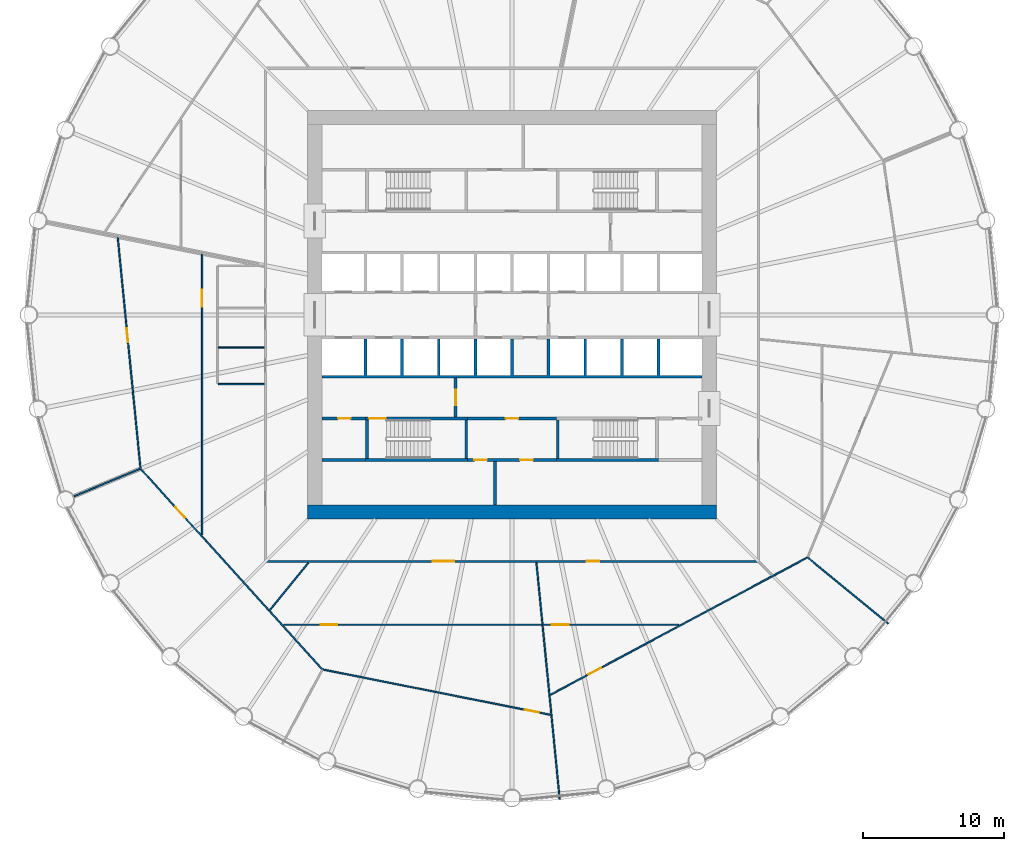
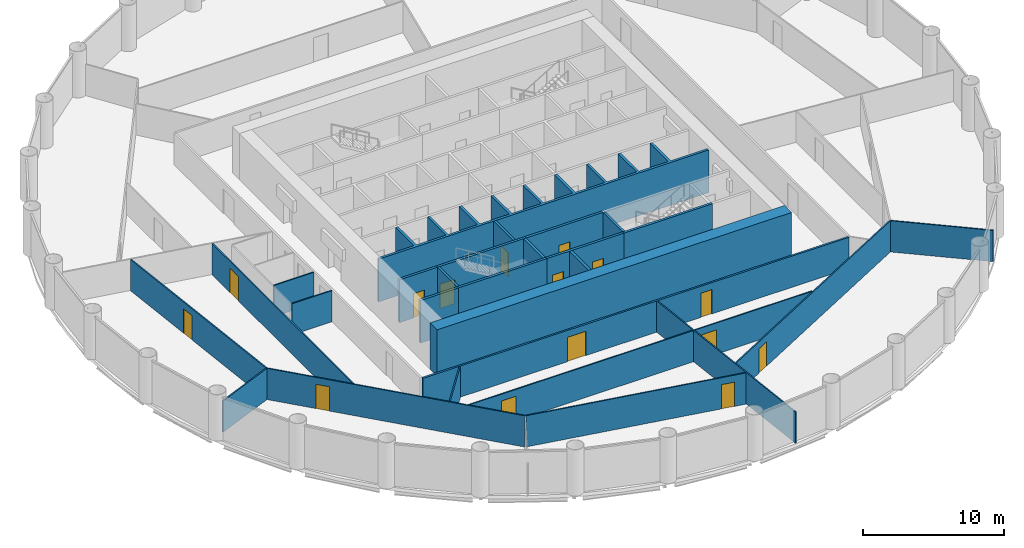
# One storey, part 4 of 9: 28 walls, 15 doors, 15 openings.
"""IFC4 building model written with IfcOpenShell, lengths in metres."""

from ifc_helpers import new_model, si_unit, direction, frame, frame_2d, origin, place, context, subcontext, project, spatial, polyline, rectangle, outline, extrude, material, layer, layer_set, type_object, element, fill, save


model = new_model("IFC4")

# Units and contexts
model_context = context("Model", 3, precision=1e-05, world=origin(), true_north=direction((0.0, 1.0)))
body_context = subcontext(model_context, "Body", "Model", "MODEL_VIEW")
ifc_project = project(units=[si_unit("LENGTHUNIT", "METRE"), si_unit("AREAUNIT", "SQUARE_METRE"), si_unit("VOLUMEUNIT", "CUBIC_METRE"), si_unit("PLANEANGLEUNIT", "RADIAN"), si_unit("MASSUNIT", "GRAM", prefix="KILO")], contexts=[model_context])

# Site, building, storey
site_placement = place(None, origin())
site = spatial("IfcSite", under=ifc_project, at=site_placement, CompositionType="ELEMENT")
building_placement = place(site_placement, origin())
building = spatial("IfcBuilding", under=site, at=building_placement, Name="Corvane Civic Tower", CompositionType="ELEMENT")
storey_placement = place(building_placement, frame((0.0, 0.0, 98.5)))
storey = spatial("IfcBuildingStorey", under=building, at=storey_placement, Name="L22", CompositionType="ELEMENT", Elevation=98.5)

# Wall
ifc_material_1 = material(Name="Concrete C70/85", Category="concrete")
ifc_layer_1 = layer(ifc_material_1, 1.0)
ifc_layer_set_1 = layer_set([ifc_layer_1], Name="Concrete C70/85")
wall_type_1 = type_object("IfcWallType", Name="CORE WALL 1000 C70/85", PredefinedType="SHEAR", material=ifc_layer_set_1)
wall_1_placement = place(storey_placement, frame((-14.5, -14.0, 0.0), z_axis=(0.0, 0.0, 1.0), x_axis=(1.0, 0.0, 0.0)))
element("IfcWall", 1, at=wall_1_placement, inside=storey, type_object=wall_type_1, Name="W-L22-core-S", PredefinedType="SHEAR", context=body_context, shape_type="SweptSolid", body=[
    extrude(rectangle(XDim=29.0, YDim=1.0, at=frame_2d((14.5, 0.0))), origin(), (0.0, 0.0, 1.0), 4.0),
])

# Wall, openings, doors
ifc_material_2 = material(Name="Concrete C30/37", Category="concrete")
ifc_layer_2 = layer(ifc_material_2, 0.199951171875)
ifc_layer_set_2 = layer_set([ifc_layer_2], Name="Concrete C30/37")
wall_type_2 = type_object("IfcWallType", Name="CR-WALL-200", PredefinedType="PARTITIONING", material=ifc_layer_set_2)
wall_2_placement = place(storey_placement, frame((-3.14990234375, -10.300048828125, 0.0), z_axis=(0.0, 0.0, 1.0), x_axis=(1.0, 0.0, 0.0)))
wall_2 = element("IfcWall", 2, at=wall_2_placement, inside=storey, type_object=wall_type_2, Name="L22 partition wall", PredefinedType="PARTITIONING", context=body_context, shape_type="SweptSolid", body=[
    extrude(rectangle(XDim=6.2998046875, YDim=0.199951171875, at=frame_2d((3.14990234375, 0.0))), origin(), (0.0, 0.0, 1.0), 3.699951171875),
])
opening_1_placement = place(wall_2_placement, frame((0.47509765625, 0.0, 0.0)))
opening_1 = element("IfcOpeningElement", 3, at=opening_1_placement, cuts=wall_2, Name="Opening L22.C06", PredefinedType="OPENING", context=body_context, shape_type="SweptSolid", body=[
    extrude(rectangle(XDim=0.89990234375, YDim=2.10009765625, at=frame_2d((0.449951171875, 1.050048828125))), frame((0.0, 0.10986328125, 0.0), z_axis=(0.0, -1.0, 0.0), x_axis=(1.0, 0.0, 0.0)), (0.0, 0.0, 1.0), 0.219970703125),
])
opening_2_placement = place(wall_2_placement, frame((3.72509765625, 0.0, 0.0)))
opening_2 = element("IfcOpeningElement", 4, at=opening_2_placement, cuts=wall_2, Name="Opening L22.C07", PredefinedType="OPENING", context=body_context, shape_type="SweptSolid", body=[
    extrude(rectangle(XDim=0.89990234375, YDim=2.10009765625, at=frame_2d((0.449951171875, 1.050048828125))), frame((0.0, 0.10986328125, 0.0), z_axis=(0.0, -1.0, 0.0), x_axis=(1.0, 0.0, 0.0)), (0.0, 0.0, 1.0), 0.219970703125),
])
ifc_material_3 = material(Name="Steel fire door leaf", Category="steel")
door_type_1 = type_object("IfcDoorType", Name="CR-DOOR-900", OperationType="SINGLE_SWING_LEFT", PredefinedType="DOOR", material=ifc_material_3)
door_1_placement = place(opening_1_placement, origin())
door_1 = element("IfcDoor", 5, at=door_1_placement, inside=storey, type_object=door_type_1, Name="L22 door", OperationType="SINGLE_SWING_LEFT", OverallHeight=2.10009765625, OverallWidth=0.89990234375, PredefinedType="DOOR", context=body_context, shape_type="SweptSolid", body=[
    extrude(rectangle(XDim=0.89990234375, YDim=2.10009765625, at=frame_2d((0.449951171875, 1.050048828125))), frame((0.0, 0.02490234375, 0.0), z_axis=(0.0, -1.0, 0.0), x_axis=(1.0, 0.0, 0.0)), (0.0, 0.0, 1.0), 0.050048828125),
])
fill(opening_1, door_1)
door_2_placement = place(opening_2_placement, origin())
door_2 = element("IfcDoor", 6, at=door_2_placement, inside=storey, type_object=door_type_1, Name="L22 door", OperationType="SINGLE_SWING_LEFT", OverallHeight=2.10009765625, OverallWidth=0.89990234375, PredefinedType="DOOR", context=body_context, shape_type="SweptSolid", body=[
    extrude(rectangle(XDim=0.89990234375, YDim=2.10009765625, at=frame_2d((0.449951171875, 1.050048828125))), frame((0.0, 0.02490234375, 0.0), z_axis=(0.0, -1.0, 0.0), x_axis=(1.0, 0.0, 0.0)), (0.0, 0.0, 1.0), 0.050048828125),
])
fill(opening_2, door_2)

# Wall, opening, door
wall_3_placement = place(storey_placement, frame((-13.5, -7.35009765625, 0.0), z_axis=(0.0, 0.0, 1.0), x_axis=(1.0, 0.0, 0.0)))
wall_3 = element("IfcWall", 7, at=wall_3_placement, inside=storey, type_object=wall_type_2, Name="L22 core partition wall", PredefinedType="PARTITIONING", context=body_context, shape_type="SweptSolid", body=[
    extrude(rectangle(XDim=3.10009765625, YDim=0.199951171875, at=frame_2d((1.550048828125, 0.0))), origin(), (0.0, 0.0, 1.0), 3.699951171875),
])
opening_3_placement = place(wall_3_placement, frame((1.14990234375, 0.0, 0.0)))
opening_3 = element("IfcOpeningElement", 8, at=opening_3_placement, cuts=wall_3, Name="Opening L22.C09", PredefinedType="OPENING", context=body_context, shape_type="SweptSolid", body=[
    extrude(rectangle(XDim=0.89990234375, YDim=2.10009765625, at=frame_2d((0.449951171875, 1.050048828125))), frame((0.0, 0.10986328125, 0.0), z_axis=(0.0, -1.0, 0.0), x_axis=(1.0, 0.0, 0.0)), (0.0, 0.0, 1.0), 0.219970703125),
])
door_3_placement = place(opening_3_placement, origin())
door_3 = element("IfcDoor", 9, at=door_3_placement, inside=storey, type_object=door_type_1, Name="L22 door", OperationType="SINGLE_SWING_LEFT", OverallHeight=2.10009765625, OverallWidth=0.89990234375, PredefinedType="DOOR", context=body_context, shape_type="SweptSolid", body=[
    extrude(rectangle(XDim=0.89990234375, YDim=2.10009765625, at=frame_2d((0.449951171875, 1.050048828125))), frame((0.0, 0.02490234375, 0.0), z_axis=(0.0, -1.0, 0.0), x_axis=(1.0, 0.0, 0.0)), (0.0, 0.0, 1.0), 0.050048828125),
])
fill(opening_3, door_3)

wall_4_placement = place(storey_placement, frame((-3.14990234375, -7.35009765625, 0.0), z_axis=(0.0, 0.0, 1.0), x_axis=(1.0, 0.0, 0.0)))
wall_4 = element("IfcWall", 10, at=wall_4_placement, inside=storey, type_object=wall_type_2, Name="L22 core partition wall", PredefinedType="PARTITIONING", context=body_context, shape_type="SweptSolid", body=[
    extrude(rectangle(XDim=6.2998046875, YDim=0.199951171875, at=frame_2d((3.14990234375, 0.0))), origin(), (0.0, 0.0, 1.0), 3.699951171875),
])
opening_4_placement = place(wall_4_placement, frame((2.699951171875, 0.0, 0.0)))
opening_4 = element("IfcOpeningElement", 11, at=opening_4_placement, cuts=wall_4, Name="Opening L22.C03", PredefinedType="OPENING", context=body_context, shape_type="SweptSolid", body=[
    extrude(rectangle(XDim=0.89990234375, YDim=2.10009765625, at=frame_2d((0.449951171875, 1.050048828125))), frame((0.0, 0.10986328125, 0.0), z_axis=(0.0, -1.0, 0.0), x_axis=(1.0, 0.0, 0.0)), (0.0, 0.0, 1.0), 0.219970703125),
])
door_4_placement = place(opening_4_placement, origin())
door_4 = element("IfcDoor", 12, at=door_4_placement, inside=storey, type_object=door_type_1, Name="L22 door", OperationType="SINGLE_SWING_LEFT", OverallHeight=2.10009765625, OverallWidth=0.89990234375, PredefinedType="DOOR", context=body_context, shape_type="SweptSolid", body=[
    extrude(rectangle(XDim=0.89990234375, YDim=2.10009765625, at=frame_2d((0.449951171875, 1.050048828125))), frame((0.0, 0.02490234375, 0.0), z_axis=(0.0, -1.0, 0.0), x_axis=(1.0, 0.0, 0.0)), (0.0, 0.0, 1.0), 0.050048828125),
])
fill(opening_4, door_4)

wall_5_placement = place(storey_placement, frame((-4.0, -7.25, 0.0), z_axis=(0.0, 0.0, 1.0), x_axis=(0.0, 1.0, 0.0)))
wall_5 = element("IfcWall", 13, at=wall_5_placement, inside=storey, type_object=wall_type_2, Name="L22 core partition wall", PredefinedType="PARTITIONING", context=body_context, shape_type="SweptSolid", body=[
    extrude(rectangle(XDim=2.75, YDim=0.199951171875, at=frame_2d((1.375, 0.0))), origin(), (0.0, 0.0, 1.0), 3.699951171875),
])
opening_5_placement = place(wall_5_placement, frame((0.824951171875, 0.0, 0.0)))
opening_5 = element("IfcOpeningElement", 14, at=opening_5_placement, cuts=wall_5, Name="Opening L22.C19", PredefinedType="OPENING", context=body_context, shape_type="SweptSolid", body=[
    extrude(rectangle(XDim=1.10009765625, YDim=2.10009765625, at=frame_2d((0.550048828125, 1.050048828125))), frame((0.0, 0.10986328125, 0.0), z_axis=(0.0, -1.0, 0.0), x_axis=(1.0, 0.0, 0.0)), (0.0, 0.0, 1.0), 0.219970703125),
])
ifc_material_4 = material(Name="Steel fire door leaf", Category="steel")
door_type_2 = type_object("IfcDoorType", Name="CR-DOOR-FFL-1100", OperationType="SINGLE_SWING_LEFT", PredefinedType="DOOR", material=ifc_material_4)
door_5_placement = place(opening_5_placement, origin())
door_5 = element("IfcDoor", 15, at=door_5_placement, inside=storey, type_object=door_type_2, Name="L22 lobby door", OperationType="SINGLE_SWING_LEFT", OverallHeight=2.10009765625, OverallWidth=1.10009765625, PredefinedType="DOOR", context=body_context, shape_type="SweptSolid", body=[
    extrude(rectangle(XDim=1.10009765625, YDim=2.10009765625, at=frame_2d((0.550048828125, 1.050048828125))), frame((0.0, 0.02490234375, 0.0), z_axis=(0.0, -1.0, 0.0), x_axis=(1.0, 0.0, 0.0)), (0.0, 0.0, 1.0), 0.050048828125),
])
fill(opening_5, door_5)

# Walls
wall_6_placement = place(storey_placement, origin())
element("IfcWall", 16, at=wall_6_placement, inside=storey, type_object=wall_type_2, Name="L22 core partition wall", PredefinedType="PARTITIONING", context=body_context, shape_type="SweptSolid", body=[
    extrude(outline(polyline([(-10.39990234375, -10.39990234375), (-13.5, -10.39990234375), (-13.5, -10.199951171875), (-10.39990234375, -10.199951171875), (-10.39990234375, -10.39990234375)])), origin(), (0.0, 0.0, 1.0), 3.699951171875),
])
wall_7_placement = place(storey_placement, origin())
element("IfcWall", 17, at=wall_7_placement, inside=storey, type_object=wall_type_2, Name="L22 core partition wall", PredefinedType="PARTITIONING", context=body_context, shape_type="SweptSolid", body=[
    extrude(outline(polyline([(-1.10009765625, -10.39990234375), (-1.10009765625, -13.5), (-1.300048828125, -13.5), (-1.300048828125, -10.39990234375), (-1.10009765625, -10.39990234375)])), origin(), (0.0, 0.0, 1.0), 3.699951171875),
])
wall_8_placement = place(storey_placement, origin())
element("IfcWall", 18, at=wall_8_placement, inside=storey, type_object=wall_type_2, Name="L22 core partition wall", PredefinedType="PARTITIONING", context=body_context, shape_type="SweptSolid", body=[
    extrude(outline(polyline([(-10.5, -1.699951171875), (-10.300048828125, -1.699951171875), (-10.300048828125, -4.300048828125), (-7.89990234375, -4.300048828125), (-7.89990234375, -1.699951171875), (-7.699951171875, -1.699951171875), (-7.699951171875, -4.300048828125), (-5.300048828125, -4.300048828125), (-5.300048828125, -1.699951171875), (-5.10009765625, -1.699951171875), (-5.10009765625, -4.300048828125), (-2.699951171875, -4.300048828125), (-2.699951171875, -1.699951171875), (-2.5, -1.699951171875), (-2.5, -4.300048828125), (-0.10009765625, -4.300048828125), (-0.10009765625, -1.699951171875), (0.10009765625, -1.699951171875), (0.10009765625, -4.300048828125), (2.5, -4.300048828125), (2.5, -1.699951171875), (2.699951171875, -1.699951171875), (2.699951171875, -4.300048828125), (5.10009765625, -4.300048828125), (5.10009765625, -1.699951171875), (5.300048828125, -1.699951171875), (5.300048828125, -4.300048828125), (7.699951171875, -4.300048828125), (7.699951171875, -1.699951171875), (7.89990234375, -1.699951171875), (7.89990234375, -4.300048828125), (10.300048828125, -4.300048828125), (10.300048828125, -1.699951171875), (10.5, -1.699951171875), (10.5, -4.300048828125), (13.5, -4.300048828125), (13.5, -4.5), (-13.5, -4.5), (-13.5, -4.300048828125), (-10.5, -4.300048828125), (-10.5, -1.699951171875)])), origin(), (0.0, 0.0, 1.0), 3.699951171875),
])
ifc_material_5 = material(Name="Plasterboard")
ifc_layer_3 = layer(ifc_material_5, 0.10009765625)
ifc_layer_set_3 = layer_set([ifc_layer_3], Name="Plasterboard")
wall_type_3 = type_object("IfcWallType", Name="Partition 100 plasterboard on studs", PredefinedType="PARTITIONING", material=ifc_layer_set_3)
wall_9_placement = place(storey_placement, frame((2.172119140625, -22.054931640625, 0.0), z_axis=(0.0, 0.0, 1.0), x_axis=(0.09802265645, -0.995184183366, 0.0)))
element("IfcWall", 19, at=wall_9_placement, inside=storey, type_object=wall_type_3, Name="Partition L22.001", PredefinedType="PARTITIONING", context=body_context, shape_type="SweptSolid", body=[
    extrude(rectangle(XDim=12.388427734375, YDim=0.10009765625, at=frame_2d((6.1943359375, 0.0))), origin(), (0.0, 0.0, 1.0), 2.699951171875),
])

# Wall, opening, door
wall_10_placement = place(storey_placement, frame((-13.418701171875, -25.1796875, 0.0), z_axis=(0.0, 0.0, 1.0), x_axis=(0.980783722721, -0.195098152849, 0.0)))
wall_10 = element("IfcWall", 20, at=wall_10_placement, inside=storey, type_object=wall_type_3, Name="Partition L22.003", PredefinedType="PARTITIONING", context=body_context, shape_type="SweptSolid", body=[
    extrude(rectangle(XDim=16.466796875, YDim=0.10009765625, at=frame_2d((8.2333984375, 0.0))), origin(), (0.0, 0.0, 1.0), 2.699951171875),
])
opening_6_placement = place(wall_10_placement, frame((14.620361328125, 0.0, 0.0)))
opening_6 = element("IfcOpeningElement", 21, at=opening_6_placement, cuts=wall_10, Name="Opening L22.011", PredefinedType="OPENING", context=body_context, shape_type="SweptSolid", body=[
    extrude(rectangle(XDim=1.0, YDim=2.10009765625, at=frame_2d((0.5, 1.050048828125))), frame((0.0, 0.06005859375, 0.0), z_axis=(0.0, -1.0, 0.0), x_axis=(1.0, 0.0, 0.0)), (0.0, 0.0, 1.0), 0.1201171875),
])
ifc_material_6 = material(Name="Timber", Category="wood")
door_type_3 = type_object("IfcDoorType", Name="Single door 1000", OperationType="NOTDEFINED", PredefinedType="DOOR", material=ifc_material_6)
door_6_placement = place(opening_6_placement, frame((1.0, 0.0, 0.0), z_axis=(0.0, 0.0, 1.0), x_axis=(-1.0, 0.0, 0.0)))
door_6 = element("IfcDoor", 22, at=door_6_placement, inside=storey, type_object=door_type_3, Name="Door L22.011", OperationType="SINGLE_SWING_RIGHT", OverallHeight=2.10009765625, OverallWidth=1.0, PredefinedType="DOOR", context=body_context, shape_type="SweptSolid", body=[
    extrude(rectangle(XDim=1.0, YDim=2.10009765625, at=frame_2d((0.5, 1.050048828125))), frame((0.0, 0.02490234375, 0.0), z_axis=(0.0, -1.0, 0.0), x_axis=(1.0, 0.0, 0.0)), (0.0, 0.0, 1.0), 0.050048828125),
])
fill(opening_6, door_6)

wall_11_placement = place(storey_placement, frame((2.726318359375, -26.975341796875, 0.0), z_axis=(0.0, 0.0, 1.0), x_axis=(0.881924809463, 0.471390104323, 0.0)))
wall_11 = element("IfcWall", 23, at=wall_11_placement, inside=storey, type_object=wall_type_3, Name="Partition L22.004", PredefinedType="PARTITIONING", context=body_context, shape_type="SweptSolid", body=[
    extrude(rectangle(XDim=20.664794921875, YDim=0.10009765625, at=frame_2d((10.33251953125, 0.0))), origin(), (0.0, 0.0, 1.0), 2.699951171875),
])
opening_7_placement = place(wall_11_placement, frame((3.060302734375, 0.0, 0.0)))
opening_7 = element("IfcOpeningElement", 24, at=opening_7_placement, cuts=wall_11, Name="Opening L22.006", PredefinedType="OPENING", context=body_context, shape_type="SweptSolid", body=[
    extrude(rectangle(XDim=1.0, YDim=2.10009765625, at=frame_2d((0.5, 1.050048828125))), frame((0.0, 0.06005859375, 0.0), z_axis=(0.0, -1.0, 0.0), x_axis=(1.0, 0.0, 0.0)), (0.0, 0.0, 1.0), 0.1201171875),
])
door_7_placement = place(opening_7_placement, frame((1.0, 0.0, 0.0), z_axis=(0.0, 0.0, 1.0), x_axis=(-1.0, 0.0, 0.0)))
door_7 = element("IfcDoor", 25, at=door_7_placement, inside=storey, type_object=door_type_3, Name="Door L22.006", OperationType="SINGLE_SWING_LEFT", OverallHeight=2.10009765625, OverallWidth=1.0, PredefinedType="DOOR", context=body_context, shape_type="SweptSolid", body=[
    extrude(rectangle(XDim=1.0, YDim=2.10009765625, at=frame_2d((0.5, 1.050048828125))), frame((0.0, 0.02490234375, 0.0), z_axis=(0.0, -1.0, 0.0), x_axis=(1.0, 0.0, 0.0)), (0.0, 0.0, 1.0), 0.050048828125),
])
fill(opening_7, door_7)

wall_12_placement = place(storey_placement, frame((-26.3466796875, -10.94921875, 0.0), z_axis=(0.0, 0.0, 1.0), x_axis=(0.671566645521, -0.740944154862, 0.0)))
wall_12 = element("IfcWall", 26, at=wall_12_placement, inside=storey, type_object=wall_type_3, Name="Partition L22.005", PredefinedType="PARTITIONING", context=body_context, shape_type="SweptSolid", body=[
    extrude(rectangle(XDim=19.1611328125, YDim=0.10009765625, at=frame_2d((9.58056640625, 0.0))), origin(), (0.0, 0.0, 1.0), 2.699951171875),
])
opening_8_placement = place(wall_12_placement, frame((3.641357421875, 0.0, 0.0)))
opening_8 = element("IfcOpeningElement", 27, at=opening_8_placement, cuts=wall_12, Name="Opening L22.012", PredefinedType="OPENING", context=body_context, shape_type="SweptSolid", body=[
    extrude(rectangle(XDim=1.0, YDim=2.10009765625, at=frame_2d((0.5, 1.050048828125))), frame((0.0, 0.06005859375, 0.0), z_axis=(0.0, -1.0, 0.0), x_axis=(1.0, 0.0, 0.0)), (0.0, 0.0, 1.0), 0.1201171875),
])
door_8_placement = place(opening_8_placement, frame((1.0, 0.0, 0.0), z_axis=(0.0, 0.0, 1.0), x_axis=(-1.0, 0.0, 0.0)))
door_8 = element("IfcDoor", 28, at=door_8_placement, inside=storey, type_object=door_type_3, Name="Door L22.012", OperationType="SINGLE_SWING_LEFT", OverallHeight=2.10009765625, OverallWidth=1.0, PredefinedType="DOOR", context=body_context, shape_type="SweptSolid", body=[
    extrude(rectangle(XDim=1.0, YDim=2.10009765625, at=frame_2d((0.5, 1.050048828125))), frame((0.0, 0.02490234375, 0.0), z_axis=(0.0, -1.0, 0.0), x_axis=(1.0, 0.0, 0.0)), (0.0, 0.0, 1.0), 0.050048828125),
])
fill(opening_8, door_8)

# Wall, openings, doors
wall_13_placement = place(storey_placement, frame((-16.2177734375, -22.0, 0.0), z_axis=(0.0, 0.0, 1.0), x_axis=(1.0, 0.0, 0.0)))
wall_13 = element("IfcWall", 29, at=wall_13_placement, inside=storey, type_object=wall_type_3, Name="Partition L22.006", PredefinedType="PARTITIONING", context=body_context, shape_type="SweptSolid", body=[
    extrude(rectangle(XDim=28.052734375, YDim=0.10009765625, at=frame_2d((14.0263671875, 0.0))), origin(), (0.0, 0.0, 1.0), 2.699951171875),
])
opening_9_placement = place(wall_13_placement, frame((19.031494140625, 0.0, 0.0)))
opening_9 = element("IfcOpeningElement", 30, at=opening_9_placement, cuts=wall_13, Name="Opening L22.007", PredefinedType="OPENING", context=body_context, shape_type="SweptSolid", body=[
    extrude(rectangle(XDim=1.199951171875, YDim=2.10009765625, at=frame_2d((0.60009765625, 1.050048828125))), frame((0.0, 0.06005859375, 0.0), z_axis=(0.0, -1.0, 0.0), x_axis=(1.0, 0.0, 0.0)), (0.0, 0.0, 1.0), 0.1201171875),
])
opening_10_placement = place(wall_13_placement, frame((2.625, 0.0, 0.0)))
opening_10 = element("IfcOpeningElement", 31, at=opening_10_placement, cuts=wall_13, Name="Opening L22.014", PredefinedType="OPENING", context=body_context, shape_type="SweptSolid", body=[
    extrude(rectangle(XDim=1.199951171875, YDim=2.10009765625, at=frame_2d((0.60009765625, 1.050048828125))), frame((0.0, 0.06005859375, 0.0), z_axis=(0.0, -1.0, 0.0), x_axis=(1.0, 0.0, 0.0)), (0.0, 0.0, 1.0), 0.1201171875),
])
ifc_material_7 = material(Name="Timber", Category="wood")
door_type_4 = type_object("IfcDoorType", Name="Double door 1200", OperationType="NOTDEFINED", PredefinedType="DOOR", material=ifc_material_7)
door_9_placement = place(opening_9_placement, frame((1.199951171875, 0.0, 0.0), z_axis=(0.0, 0.0, 1.0), x_axis=(-1.0, 0.0, 0.0)))
door_9 = element("IfcDoor", 32, at=door_9_placement, inside=storey, type_object=door_type_4, Name="Door L22.007", OperationType="DOUBLE_DOOR_SINGLE_SWING", OverallHeight=2.10009765625, OverallWidth=1.199951171875, PredefinedType="DOOR", context=body_context, shape_type="SweptSolid", body=[
    extrude(rectangle(XDim=1.199951171875, YDim=2.10009765625, at=frame_2d((0.60009765625, 1.050048828125))), frame((0.0, 0.02490234375, 0.0), z_axis=(0.0, -1.0, 0.0), x_axis=(1.0, 0.0, 0.0)), (0.0, 0.0, 1.0), 0.050048828125),
])
fill(opening_9, door_9)
door_10_placement = place(opening_10_placement, frame((1.199951171875, 0.0, 0.0), z_axis=(0.0, 0.0, 1.0), x_axis=(-1.0, 0.0, 0.0)))
door_10 = element("IfcDoor", 33, at=door_10_placement, inside=storey, type_object=door_type_4, Name="Door L22.014", OperationType="DOUBLE_DOOR_SINGLE_SWING", OverallHeight=2.10009765625, OverallWidth=1.199951171875, PredefinedType="DOOR", context=body_context, shape_type="SweptSolid", body=[
    extrude(rectangle(XDim=1.199951171875, YDim=2.10009765625, at=frame_2d((0.60009765625, 1.050048828125))), frame((0.0, 0.02490234375, 0.0), z_axis=(0.0, -1.0, 0.0), x_axis=(1.0, 0.0, 0.0)), (0.0, 0.0, 1.0), 0.050048828125),
])
fill(opening_10, door_10)

# Walls
wall_14_placement = place(storey_placement, frame((1.7314453125, -17.579833984375, 0.0), z_axis=(0.0, 0.0, 1.0), x_axis=(0.098017353968, -0.995184705631, 0.0)))
element("IfcWall", 34, at=wall_14_placement, inside=storey, type_object=wall_type_3, Name="Partition L22.007", PredefinedType="PARTITIONING", context=body_context, shape_type="SweptSolid", body=[
    extrude(rectangle(XDim=4.391357421875, YDim=0.10009765625, at=frame_2d((2.19580078125, 0.0))), origin(), (0.0, 0.0, 1.0), 2.699951171875),
])
wall_15_placement = place(storey_placement, frame((21.00927734375, -17.241943359375, 0.0), z_axis=(0.0, 0.0, 1.0), x_axis=(0.77301798358, -0.634384108456, 0.0)))
element("IfcWall", 35, at=wall_15_placement, inside=storey, type_object=wall_type_3, Name="Partition L22.008", PredefinedType="PARTITIONING", context=body_context, shape_type="SweptSolid", body=[
    extrude(rectangle(XDim=7.371826171875, YDim=0.10009765625, at=frame_2d((3.68603515625, 0.0))), origin(), (0.0, 0.0, 1.0), 2.699951171875),
])
wall_16_placement = place(storey_placement, frame((-17.19873046875, -20.956787109375, 0.0), z_axis=(0.0, 0.0, 1.0), x_axis=(0.634381355244, 0.77302024302, 0.0)))
element("IfcWall", 36, at=wall_16_placement, inside=storey, type_object=wall_type_3, Name="Partition L22.009", PredefinedType="PARTITIONING", context=body_context, shape_type="SweptSolid", body=[
    extrude(rectangle(XDim=4.333740234375, YDim=0.10009765625, at=frame_2d((2.1669921875, 0.0))), origin(), (0.0, 0.0, 1.0), 2.699951171875),
])

# Wall, opening, door
wall_17_placement = place(storey_placement, frame((-22.0, -15.615234375, 0.0), z_axis=(0.0, 0.0, 1.0), x_axis=(0.0, 1.0, 0.0)))
wall_17 = element("IfcWall", 37, at=wall_17_placement, inside=storey, type_object=wall_type_3, Name="Partition L22.015", PredefinedType="PARTITIONING", context=body_context, shape_type="SweptSolid", body=[
    extrude(rectangle(XDim=19.930419921875, YDim=0.10009765625, at=frame_2d((9.96533203125, 0.0))), origin(), (0.0, 0.0, 1.0), 2.699951171875),
])
opening_11_placement = place(wall_17_placement, frame((16.201171875, 0.0, 0.0)))
opening_11 = element("IfcOpeningElement", 38, at=opening_11_placement, cuts=wall_17, Name="Opening L22.015", PredefinedType="OPENING", context=body_context, shape_type="SweptSolid", body=[
    extrude(rectangle(XDim=1.199951171875, YDim=2.10009765625, at=frame_2d((0.60009765625, 1.050048828125))), frame((0.0, 0.06005859375, 0.0), z_axis=(0.0, -1.0, 0.0), x_axis=(1.0, 0.0, 0.0)), (0.0, 0.0, 1.0), 0.1201171875),
])
door_11_placement = place(opening_11_placement, origin())
door_11 = element("IfcDoor", 39, at=door_11_placement, inside=storey, type_object=door_type_4, Name="Door L22.015", OperationType="DOUBLE_DOOR_SINGLE_SWING", OverallHeight=2.10009765625, OverallWidth=1.199951171875, PredefinedType="DOOR", context=body_context, shape_type="SweptSolid", body=[
    extrude(rectangle(XDim=1.199951171875, YDim=2.10009765625, at=frame_2d((0.60009765625, 1.050048828125))), frame((0.0, 0.02490234375, 0.0), z_axis=(0.0, -1.0, 0.0), x_axis=(1.0, 0.0, 0.0)), (0.0, 0.0, 1.0), 0.050048828125),
])
fill(opening_11, door_11)

# Wall
wall_18_placement = place(storey_placement, frame((-31.102294921875, -12.883056640625, 0.0), z_axis=(0.0, 0.0, 1.0), x_axis=(0.923884580387, 0.382671245488, 0.0)))
element("IfcWall", 40, at=wall_18_placement, inside=storey, type_object=wall_type_3, Name="Partition L22.017", PredefinedType="PARTITIONING", context=body_context, shape_type="SweptSolid", body=[
    extrude(rectangle(XDim=5.084716796875, YDim=0.10009765625, at=frame_2d((2.54248046875, 0.0))), origin(), (0.0, 0.0, 1.0), 2.699951171875),
])

# Wall, opening, door
wall_19_placement = place(storey_placement, frame((-27.98779296875, 5.50146484375, 0.0), z_axis=(0.0, 0.0, 1.0), x_axis=(0.0980018916, -0.995186228423, 0.0)))
wall_19 = element("IfcWall", 41, at=wall_19_placement, inside=storey, type_object=wall_type_3, Name="Partition L22.018", PredefinedType="PARTITIONING", context=body_context, shape_type="SweptSolid", body=[
    extrude(rectangle(XDim=16.466796875, YDim=0.10009765625, at=frame_2d((8.2333984375, 0.0))), origin(), (0.0, 0.0, 1.0), 2.699951171875),
])
opening_12_placement = place(wall_19_placement, frame((6.4755859375, 0.0, 0.0)))
opening_12 = element("IfcOpeningElement", 42, at=opening_12_placement, cuts=wall_19, Name="Opening L22.013", PredefinedType="OPENING", context=body_context, shape_type="SweptSolid", body=[
    extrude(rectangle(XDim=1.0, YDim=2.10009765625, at=frame_2d((0.5, 1.050048828125))), frame((0.0, 0.06005859375, 0.0), z_axis=(0.0, -1.0, 0.0), x_axis=(1.0, 0.0, 0.0)), (0.0, 0.0, 1.0), 0.1201171875),
])
door_12_placement = place(opening_12_placement, frame((1.0, 0.0, 0.0), z_axis=(0.0, 0.0, 1.0), x_axis=(-1.0, 0.0, 0.0)))
door_12 = element("IfcDoor", 43, at=door_12_placement, inside=storey, type_object=door_type_3, Name="Door L22.013", OperationType="SINGLE_SWING_LEFT", OverallHeight=2.10009765625, OverallWidth=1.0, PredefinedType="DOOR", context=body_context, shape_type="SweptSolid", body=[
    extrude(rectangle(XDim=1.0, YDim=2.10009765625, at=frame_2d((0.5, 1.050048828125))), frame((0.0, 0.02490234375, 0.0), z_axis=(0.0, -1.0, 0.0), x_axis=(1.0, 0.0, 0.0)), (0.0, 0.0, 1.0), 0.050048828125),
])
fill(opening_12, door_12)

# Walls
for number, where, z_axis, x_axis, name in (
    (44, (-20.85009765625, -4.9189453125, 0.0), (0.0, 0.0, 1.0), (1.0, 0.0, 0.0), "Partition L22.019"),
    (45, (-20.85009765625, -2.319091796875, 0.0), (0.0, 0.0, 1.0), (1.0, 0.0, 0.0), "Partition L22.023"),
):
    element("IfcWall", number, at=place(storey_placement, frame(where, z_axis=z_axis, x_axis=x_axis)), inside=storey, type_object=wall_type_3, Name=name, PredefinedType="PARTITIONING", context=body_context, shape_type="SweptSolid", body=[
        extrude(rectangle(XDim=3.275146484375, YDim=0.10009765625, at=frame_2d((1.6376953125, 0.0))), origin(), (0.0, 0.0, 1.0), 2.699951171875),
    ])

# Wall, opening, door
ifc_material_8 = material(Name="Concrete C50/60", Category="concrete")
ifc_layer_4 = layer(ifc_material_8, 0.199951171875)
ifc_layer_set_4 = layer_set([ifc_layer_4], Name="Concrete C50/60")
wall_type_4 = type_object("IfcWallType", Name="ST-WALL-200", PredefinedType="SHEAR", material=ifc_layer_set_4)
wall_20_placement = place(storey_placement, frame((-10.39990234375, -7.35009765625, 0.0), z_axis=(0.0, 0.0, 1.0), x_axis=(1.0, 0.0, 0.0)))
wall_20 = element("IfcWall", 46, at=wall_20_placement, inside=storey, type_object=wall_type_4, Name="L22 stair enclosure wall", PredefinedType="SHEAR", context=body_context, shape_type="SweptSolid", body=[
    extrude(rectangle(XDim=7.25, YDim=0.199951171875, at=frame_2d((3.625, 0.0))), origin(), (0.0, 0.0, 1.0), 3.699951171875),
])
opening_13_placement = place(wall_20_placement, frame((0.25, 0.0, 0.0)))
opening_13 = element("IfcOpeningElement", 47, at=opening_13_placement, cuts=wall_20, Name="Opening L22.C15", PredefinedType="OPENING", context=body_context, shape_type="SweptSolid", body=[
    extrude(rectangle(XDim=1.199951171875, YDim=2.10009765625, at=frame_2d((0.60009765625, 1.050048828125))), frame((0.0, 0.10986328125, 0.0), z_axis=(0.0, -1.0, 0.0), x_axis=(1.0, 0.0, 0.0)), (0.0, 0.0, 1.0), 0.219970703125),
])
ifc_material_9 = material(Name="Steel fire door leaf", Category="steel")
door_type_5 = type_object("IfcDoorType", Name="ST-DOOR-1200", OperationType="SINGLE_SWING_RIGHT", PredefinedType="DOOR", material=ifc_material_9)
door_13_placement = place(opening_13_placement, origin())
door_13 = element("IfcDoor", 48, at=door_13_placement, inside=storey, type_object=door_type_5, Name="L22 stair door", OperationType="SINGLE_SWING_RIGHT", OverallHeight=2.10009765625, OverallWidth=1.199951171875, PredefinedType="DOOR", context=body_context, shape_type="SweptSolid", body=[
    extrude(rectangle(XDim=1.199951171875, YDim=2.10009765625, at=frame_2d((0.60009765625, 1.050048828125))), frame((0.0, 0.02490234375, 0.0), z_axis=(0.0, -1.0, 0.0), x_axis=(1.0, 0.0, 0.0)), (0.0, 0.0, 1.0), 0.050048828125),
])
fill(opening_13, door_13)

# Walls
wall_21_placement = place(storey_placement, origin())
element("IfcWall", 49, at=wall_21_placement, inside=storey, type_object=wall_type_4, Name="L22 stair enclosure wall", PredefinedType="SHEAR", context=body_context, shape_type="SweptSolid", body=[
    extrude(outline(polyline([(-3.14990234375, -10.199951171875), (-3.14990234375, -10.39990234375), (-10.39990234375, -10.39990234375), (-10.39990234375, -10.199951171875), (-3.14990234375, -10.199951171875)])), origin(), (0.0, 0.0, 1.0), 3.699951171875),
])
wall_22_placement = place(storey_placement, origin())
element("IfcWall", 50, at=wall_22_placement, inside=storey, type_object=wall_type_4, Name="L22 stair enclosure wall", PredefinedType="SHEAR", context=body_context, shape_type="SweptSolid", body=[
    extrude(outline(polyline([(10.39990234375, -10.39990234375), (3.14990234375, -10.39990234375), (3.14990234375, -10.199951171875), (10.39990234375, -10.199951171875), (10.39990234375, -10.39990234375)])), origin(), (0.0, 0.0, 1.0), 3.699951171875),
])
wall_23_placement = place(storey_placement, origin())
element("IfcWall", 51, at=wall_23_placement, inside=storey, type_object=wall_type_4, Name="L22 stair enclosure wall", PredefinedType="SHEAR", context=body_context, shape_type="SweptSolid", body=[
    extrude(outline(polyline([(-3.14990234375, -7.449951171875), (-3.14990234375, -10.199951171875), (-3.35009765625, -10.199951171875), (-3.35009765625, -7.449951171875), (-3.14990234375, -7.449951171875)])), origin(), (0.0, 0.0, 1.0), 3.699951171875),
])
wall_24_placement = place(storey_placement, origin())
element("IfcWall", 52, at=wall_24_placement, inside=storey, type_object=wall_type_4, Name="L22 stair enclosure wall", PredefinedType="SHEAR", context=body_context, shape_type="SweptSolid", body=[
    extrude(outline(polyline([(3.35009765625, -7.449951171875), (3.35009765625, -10.199951171875), (3.14990234375, -10.199951171875), (3.14990234375, -7.449951171875), (3.35009765625, -7.449951171875)])), origin(), (0.0, 0.0, 1.0), 3.699951171875),
])
wall_25_placement = place(storey_placement, origin())
element("IfcWall", 53, at=wall_25_placement, inside=storey, type_object=wall_type_4, Name="L22 stair enclosure wall", PredefinedType="SHEAR", context=body_context, shape_type="SweptSolid", body=[
    extrude(outline(polyline([(-10.199951171875, -7.449951171875), (-10.199951171875, -10.199951171875), (-10.39990234375, -10.199951171875), (-10.39990234375, -7.449951171875), (-10.199951171875, -7.449951171875)])), origin(), (0.0, 0.0, 1.0), 3.699951171875),
])

# Wall, openings, doors
ifc_material_10 = material(Name="Plasterboard")
ifc_layer_5 = layer(ifc_material_10, 0.14990234375)
ifc_layer_set_5 = layer_set([ifc_layer_5], Name="Plasterboard")
wall_type_5 = type_object("IfcWallType", Name="Tenancy wall 150 EI 60", PredefinedType="PARTITIONING", material=ifc_layer_set_5)
wall_26_placement = place(storey_placement, frame((-17.425048828125, -17.5, 0.0), z_axis=(0.0, 0.0, 1.0), x_axis=(1.0, 0.0, 0.0)))
wall_26 = element("IfcWall", 54, at=wall_26_placement, inside=storey, type_object=wall_type_5, Name="Partition L22.011", PredefinedType="PARTITIONING", context=body_context, shape_type="SweptSolid", body=[
    extrude(rectangle(XDim=34.85009765625, YDim=0.14990234375, at=frame_2d((17.425048828125, 0.0))), origin(), (0.0, 0.0, 1.0), 2.699951171875),
])
opening_14_placement = place(wall_26_placement, frame((22.724609375, 0.0, 0.0)))
opening_14 = element("IfcOpeningElement", 55, at=opening_14_placement, cuts=wall_26, Name="Opening L22.010", PredefinedType="OPENING", context=body_context, shape_type="SweptSolid", body=[
    extrude(rectangle(XDim=0.89990234375, YDim=2.10009765625, at=frame_2d((0.449951171875, 1.050048828125))), frame((0.0, 0.0849609375, 0.0), z_axis=(0.0, -1.0, 0.0), x_axis=(1.0, 0.0, 0.0)), (0.0, 0.0, 1.0), 0.169921875),
])
opening_15_placement = place(wall_26_placement, frame((11.811279296875, 0.0, 0.0)))
opening_15 = element("IfcOpeningElement", 56, at=opening_15_placement, cuts=wall_26, Name="Opening L22.016", PredefinedType="OPENING", context=body_context, shape_type="SweptSolid", body=[
    extrude(rectangle(XDim=1.5, YDim=2.10009765625, at=frame_2d((0.75, 1.050048828125))), frame((0.0, 0.0849609375, 0.0), z_axis=(0.0, -1.0, 0.0), x_axis=(1.0, 0.0, 0.0)), (0.0, 0.0, 1.0), 0.169921875),
])
ifc_material_11 = material(Name="Steel and timber", Category="steel")
door_type_6 = type_object("IfcDoorType", Name="Fire door FD30S 900", OperationType="NOTDEFINED", PredefinedType="DOOR", material=ifc_material_11)
door_14_placement = place(opening_14_placement, frame((0.89990234375, 0.0, 0.0), z_axis=(0.0, 0.0, 1.0), x_axis=(-1.0, 0.0, 0.0)))
door_14 = element("IfcDoor", 57, at=door_14_placement, inside=storey, type_object=door_type_6, Name="Door L22.010", OperationType="SINGLE_SWING_LEFT", OverallHeight=2.10009765625, OverallWidth=0.89990234375, PredefinedType="DOOR", context=body_context, shape_type="SweptSolid", body=[
    extrude(rectangle(XDim=0.89990234375, YDim=2.10009765625, at=frame_2d((0.449951171875, 1.050048828125))), frame((0.0, 0.02490234375, 0.0), z_axis=(0.0, -1.0, 0.0), x_axis=(1.0, 0.0, 0.0)), (0.0, 0.0, 1.0), 0.050048828125),
])
fill(opening_14, door_14)
ifc_material_12 = material(Name="Steel and timber", Category="steel")
door_type_7 = type_object("IfcDoorType", Name="Fire door FD60 double 1500", OperationType="NOTDEFINED", PredefinedType="DOOR", material=ifc_material_12)
door_15_placement = place(opening_15_placement, frame((1.5, 0.0, 0.0), z_axis=(0.0, 0.0, 1.0), x_axis=(-1.0, 0.0, 0.0)))
door_15 = element("IfcDoor", 58, at=door_15_placement, inside=storey, type_object=door_type_7, Name="Door L22.016", OperationType="DOUBLE_DOOR_SINGLE_SWING", OverallHeight=2.10009765625, OverallWidth=1.5, PredefinedType="DOOR", context=body_context, shape_type="SweptSolid", body=[
    extrude(rectangle(XDim=1.5, YDim=2.10009765625, at=frame_2d((0.75, 1.050048828125))), frame((0.0, 0.02490234375, 0.0), z_axis=(0.0, -1.0, 0.0), x_axis=(1.0, 0.0, 0.0)), (0.0, 0.0, 1.0), 0.050048828125),
])
fill(opening_15, door_15)

save(model, "model.ifc")
